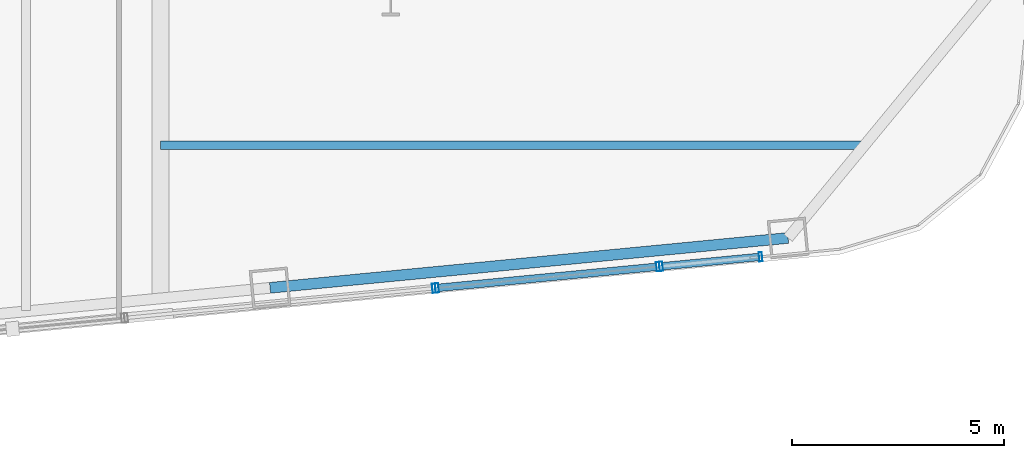
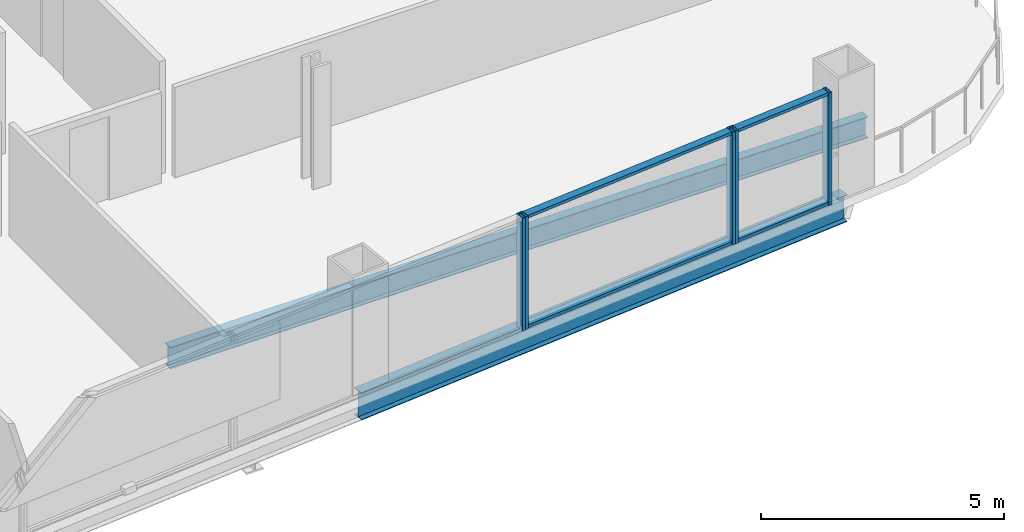
# One storey, part 9 of 27: 9 members, 2 beams, 3 elements without a shape of their own.
"""IFC4 building model written with IfcOpenShell, lengths in metres."""

from ifc_helpers import new_model, si_unit, direction, frame, origin, origin_2d, place, context, subcontext, project, spatial, hollow_rectangle, i_section, extrude, material, layer, layer_set, material_profile, profile_set, type_object, element, aggregate, save


model = new_model("IFC4")

# Units and contexts
model_context = context("Model", 3, precision=1e-05, world=origin(), true_north=direction((0.0, 1.0)))
body_context = subcontext(model_context, "Body", "Model", "MODEL_VIEW")
ifc_project = project(units=[si_unit("LENGTHUNIT", "METRE"), si_unit("AREAUNIT", "SQUARE_METRE"), si_unit("VOLUMEUNIT", "CUBIC_METRE"), si_unit("PLANEANGLEUNIT", "RADIAN"), si_unit("MASSUNIT", "GRAM", prefix="KILO")], contexts=[model_context])

# Site, building, storey
site_placement = place(None, origin())
site = spatial("IfcSite", under=ifc_project, at=site_placement, CompositionType="ELEMENT")
building_placement = place(site_placement, origin())
building = spatial("IfcBuilding", under=site, at=building_placement, Name="Qhalaya Broadcast Tower", CompositionType="ELEMENT")
storey_placement = place(building_placement, frame((0.0, 0.0, 84.699951171875)))
storey = spatial("IfcBuildingStorey", under=building, at=storey_placement, Name="L24", CompositionType="ELEMENT", Elevation=84.699951171875)

# Beams
ifc_material_1 = material(Name="Structural Steel ASTM A992 Grade 50", Category="steel")
ifc_material_profile_1 = material_profile(ifc_material_1, i_section(OverallWidth=0.2099609375, OverallDepth=0.535888671875, WebThickness=0.010986328125, FlangeThickness=0.017333984375, at=origin_2d()), Name="W21X68")
ifc_profile_set_1 = profile_set([ifc_material_profile_1], Name="Structural Steel ASTM A992 Grade 50")
beam_type_1 = type_object("IfcBeamType", Name="Composite Floor Joist J02", PredefinedType="JOIST", material=ifc_profile_set_1)
beam_1_placement = place(storey_placement, frame((9.375, -16.5, -0.488037109375), z_axis=(1.0, 0.0, 0.0), x_axis=(0.0, 1.0, 0.0)))
element("IfcBeam", 1, at=beam_1_placement, inside=storey, type_object=beam_type_1, Name="L24 J02 L24-JWE1E-1", PredefinedType="JOIST", context=body_context, shape_type="SweptSolid", body=[
    extrude(i_section(OverallWidth=0.2099609375, OverallDepth=0.535888671875, WebThickness=0.010986328125, FlangeThickness=0.017333984375, at=origin_2d()), origin(), (0.0, 0.0, 1.0), 16.56591796875),
])
ifc_material_profile_2 = material_profile(ifc_material_1, i_section(OverallWidth=0.25390625, OverallDepth=0.68310546875, WebThickness=0.012451171875, FlangeThickness=0.01904296875, at=origin_2d()), Name="W27X94")
ifc_profile_set_2 = profile_set([ifc_material_profile_2], Name="Structural Steel ASTM A992 Grade 50")
beam_type_2 = type_object("IfcBeamType", Name="Perimeter Ring Spandrel Beam SP1", PredefinedType="SPANDREL", material=ifc_profile_set_2)
beam_2_placement = place(storey_placement, frame((11.955078125, -19.861083984375, -0.5615234375), z_axis=(0.995397535354, 0.095831866369, 0.0), x_axis=(-0.095831866369, 0.995397535354, 0.0)))
element("IfcBeam", 2, at=beam_2_placement, inside=storey, type_object=beam_type_2, Name="L24 SP1 L24-SPR-03", PredefinedType="SPANDREL", context=body_context, shape_type="SweptSolid", body=[
    extrude(i_section(OverallWidth=0.25390625, OverallDepth=0.68310546875, WebThickness=0.012451171875, FlangeThickness=0.01904296875, at=origin_2d()), origin(), (0.0, 0.0, 1.0), 12.2666015625),
])

# Curtain wall, member
ifc_material_2 = material(Name="Fired Architectural Terracotta", Category="masonry")
ifc_layer_1 = layer(ifc_material_2, 0.219970703125, Name="Fired Architectural Terracotta")
ifc_layer_set_1 = layer_set([ifc_layer_1], Name="Fired Architectural Terracotta")
curtain_wall_type_1 = type_object("IfcCurtainWallType", Name="Block-Cap Unitised Terracotta Spandrel Wall CW-07", PredefinedType="NOTDEFINED", material=ifc_layer_set_1)
curtain_wall_1_placement = place(storey_placement, origin())
curtain_wall_1 = element("IfcCurtainWall", 3, at=curtain_wall_1_placement, inside=storey, type_object=curtain_wall_type_1, Name="L24 Unitised Curtain Wall L24-CW-S5", PredefinedType="NOTDEFINED")
ifc_material_3 = material(Name="Anodised Aluminium 6063-T6", Category="aluminium")
ifc_material_profile_3 = material_profile(ifc_material_3, hollow_rectangle(XDim=0.074951171875, YDim=0.219970703125, WallThickness=0.00390625, at=origin_2d()), Name="ALU-MUL 75x220x4")
ifc_profile_set_3 = profile_set([ifc_material_profile_3], Name="Anodised Aluminium 6063-T6")
member_type_1 = type_object("IfcMemberType", Name="Unitised Curtain-Wall Mullion M01", PredefinedType="MULLION", material=ifc_profile_set_3)
member_1_placement = place(storey_placement, frame((15.81689453125, -19.87109375, 0.0), z_axis=(0.0, 0.0, 1.0), x_axis=(0.995396450907, 0.095843129762, 0.0)))
member_1 = element("IfcMember", 4, at=member_1_placement, type_object=member_type_1, Name="CW-07 mullion 2", PredefinedType="MULLION", context=body_context, shape_type="SweptSolid", body=[
    extrude(hollow_rectangle(XDim=0.074951171875, YDim=0.219970703125, WallThickness=0.00390625, at=origin_2d()), origin(), (0.0, 0.0, 1.0), 2.830078125),
])
aggregate(curtain_wall_1, [member_1])

# Curtain wall, members
ifc_material_4 = material(Name="Solar-Control Low-E Triple Glazing", Category="glass")
ifc_layer_2 = layer(ifc_material_4, 0.219970703125, Name="Solar-Control Low-E Triple Glazing")
ifc_layer_set_2 = layer_set([ifc_layer_2], Name="Solar-Control Low-E Triple Glazing")
curtain_wall_type_2 = type_object("IfcCurtainWallType", Name="Even-Block 4-Storey Double-Module Curtain Wall CW-03", PredefinedType="NOTDEFINED", material=ifc_layer_set_2)
curtain_wall_2_placement = place(storey_placement, origin())
curtain_wall_2 = element("IfcCurtainWall", 5, at=curtain_wall_2_placement, inside=storey, type_object=curtain_wall_type_2, Name="L24 Unitised Curtain Wall L24-CW-S6", PredefinedType="NOTDEFINED")
member_2_placement = place(storey_placement, frame((15.8916015625, -19.864013671875, 0.0), z_axis=(0.0, 0.0, 1.0), x_axis=(0.995395549991, 0.095852485923, 0.0)))
member_2 = element("IfcMember", 6, at=member_2_placement, type_object=member_type_1, Name="CW-03 mullion 1", PredefinedType="MULLION", context=body_context, shape_type="SweptSolid", body=[
    extrude(hollow_rectangle(XDim=0.074951171875, YDim=0.219970703125, WallThickness=0.00390625, at=origin_2d()), origin(), (0.0, 0.0, 1.0), 2.830078125),
])
member_3_placement = place(storey_placement, frame((21.097412109375, -19.362548828125, 0.0), z_axis=(0.0, 0.0, 1.0), x_axis=(0.995395549991, 0.095852485923, 0.0)))
member_3 = element("IfcMember", 7, at=member_3_placement, type_object=member_type_1, Name="CW-03 mullion 2", PredefinedType="MULLION", context=body_context, shape_type="SweptSolid", body=[
    extrude(hollow_rectangle(XDim=0.074951171875, YDim=0.219970703125, WallThickness=0.00390625, at=origin_2d()), origin(), (0.0, 0.0, 1.0), 2.830078125),
])

curtain_wall_3_placement = place(storey_placement, origin())
curtain_wall_3 = element("IfcCurtainWall", 8, at=curtain_wall_3_placement, inside=storey, type_object=curtain_wall_type_1, Name="L24 Unitised Curtain Wall L24-CW-S7", PredefinedType="NOTDEFINED")
member_4_placement = place(storey_placement, frame((21.172119140625, -19.35546875, 0.0), z_axis=(0.0, 0.0, 1.0), x_axis=(0.99539620774, 0.09584565518, 0.0)))
member_4 = element("IfcMember", 9, at=member_4_placement, type_object=member_type_1, Name="CW-07 mullion 1", PredefinedType="MULLION", context=body_context, shape_type="SweptSolid", body=[
    extrude(hollow_rectangle(XDim=0.074951171875, YDim=0.219970703125, WallThickness=0.00390625, at=origin_2d()), origin(), (0.0, 0.0, 1.0), 2.830078125),
])
member_5_placement = place(storey_placement, frame((23.517333984375, -19.129638671875, 0.0), z_axis=(0.0, 0.0, 1.0), x_axis=(0.99539620774, 0.09584565518, 0.0)))
member_5 = element("IfcMember", 10, at=member_5_placement, type_object=member_type_1, Name="CW-07 mullion 2", PredefinedType="MULLION", context=body_context, shape_type="SweptSolid", body=[
    extrude(hollow_rectangle(XDim=0.074951171875, YDim=0.219970703125, WallThickness=0.00390625, at=origin_2d()), origin(), (0.0, 0.0, 1.0), 2.830078125),
])

# Member
ifc_material_profile_4 = material_profile(ifc_material_3, hollow_rectangle(XDim=0.074951171875, YDim=0.179931640625, WallThickness=0.00390625, at=origin_2d()), Name="ALU-TRN 75x180x4")
ifc_profile_set_4 = profile_set([ifc_material_profile_4], Name="Anodised Aluminium 6063-T6")
member_type_2 = type_object("IfcMemberType", Name="Unitised Curtain-Wall Transom T01", PredefinedType="USERDEFINED", material=ifc_profile_set_4)
member_6_placement = place(storey_placement, frame((15.928955078125, -19.8603515625, 0.03759765625), z_axis=(0.995394874019, 0.095859505401, 0.0), x_axis=(0.0, 0.0, 1.0)))
member_6 = element("IfcMember", 11, at=member_6_placement, type_object=member_type_2, Name="CW-03 transom 1.1", ObjectType="TRANSOM", PredefinedType="USERDEFINED", context=body_context, shape_type="SweptSolid", body=[
    extrude(hollow_rectangle(XDim=0.074951171875, YDim=0.179931640625, WallThickness=0.00390625, at=origin_2d()), origin(), (0.0, 0.0, 1.0), 5.15478515625),
])

member_7_placement = place(storey_placement, frame((15.928955078125, -19.8603515625, 2.79248046875), z_axis=(0.995394874019, 0.095859505401, 0.0), x_axis=(0.0, 0.0, 1.0)))
member_7 = element("IfcMember", 12, at=member_7_placement, type_object=member_type_2, Name="CW-03 transom 1.2", ObjectType="TRANSOM", PredefinedType="USERDEFINED", context=body_context, shape_type="SweptSolid", body=[
    extrude(hollow_rectangle(XDim=0.074951171875, YDim=0.179931640625, WallThickness=0.00390625, at=origin_2d()), origin(), (0.0, 0.0, 1.0), 5.15478515625),
])

aggregate(curtain_wall_2, [member_2, member_3, member_6, member_7])

member_8_placement = place(storey_placement, frame((21.20947265625, -19.351806640625, 0.03759765625), z_axis=(0.995401181684, 0.095793984689, 0.0), x_axis=(0.0, 0.0, 1.0)))
member_8 = element("IfcMember", 13, at=member_8_placement, type_object=member_type_2, Name="CW-07 transom 1.1", ObjectType="TRANSOM", PredefinedType="USERDEFINED", context=body_context, shape_type="SweptSolid", body=[
    extrude(hollow_rectangle(XDim=0.074951171875, YDim=0.179931640625, WallThickness=0.00390625, at=origin_2d()), origin(), (0.0, 0.0, 1.0), 2.281005859375),
])

member_9_placement = place(storey_placement, frame((21.20947265625, -19.351806640625, 2.79248046875), z_axis=(0.995401181684, 0.095793984689, 0.0), x_axis=(0.0, 0.0, 1.0)))
member_9 = element("IfcMember", 14, at=member_9_placement, type_object=member_type_2, Name="CW-07 transom 1.2", ObjectType="TRANSOM", PredefinedType="USERDEFINED", context=body_context, shape_type="SweptSolid", body=[
    extrude(hollow_rectangle(XDim=0.074951171875, YDim=0.179931640625, WallThickness=0.00390625, at=origin_2d()), origin(), (0.0, 0.0, 1.0), 2.281005859375),
])

aggregate(curtain_wall_3, [member_4, member_5, member_8, member_9])

save(model, "model.ifc")
